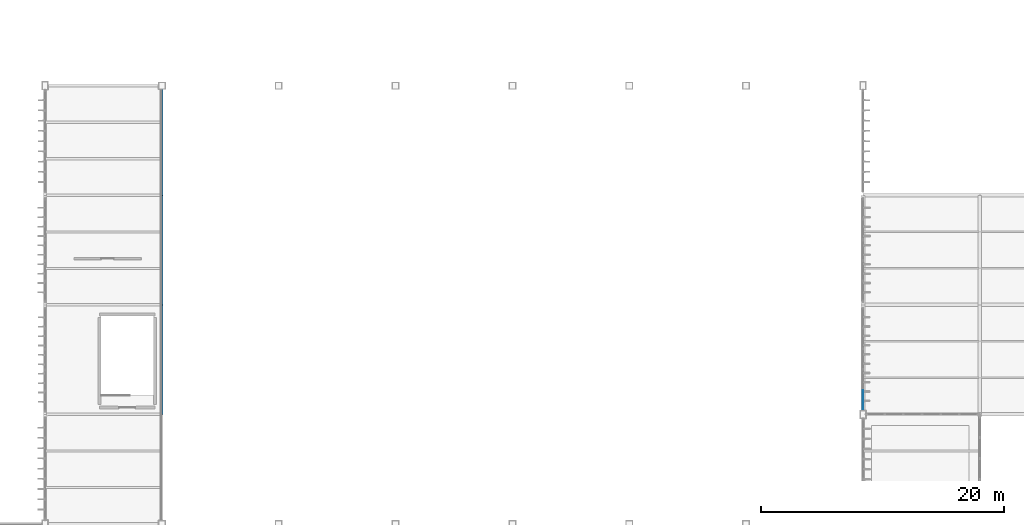
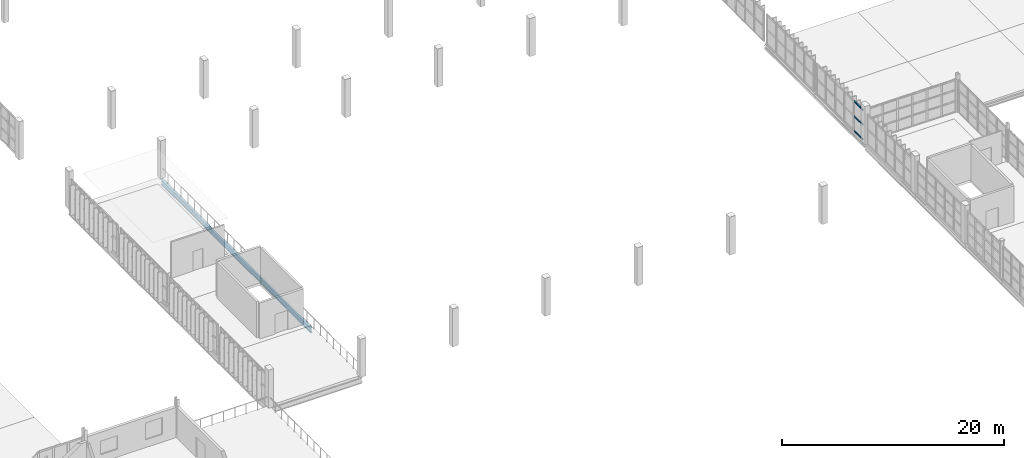
# One storey, part 28 of 82: 3 beams, 3 members, 1 element without a shape of its own.
"""IFC4 building model written with IfcOpenShell, lengths in metres."""

from ifc_helpers import new_model, si_unit, direction, frame, origin, origin_2d, place, context, subcontext, project, spatial, rectangle, i_section, extrude, material, layer, layer_set, material_profile, profile_set, type_object, element, aggregate, save


model = new_model("IFC4")

# Units and contexts
model_context = context("Model", 3, precision=1e-05, world=origin(), true_north=direction((0.0, 1.0)))
body_context = subcontext(model_context, "Body", "Model", "MODEL_VIEW")
ifc_project = project(units=[si_unit("LENGTHUNIT", "METRE"), si_unit("AREAUNIT", "SQUARE_METRE"), si_unit("VOLUMEUNIT", "CUBIC_METRE"), si_unit("PLANEANGLEUNIT", "RADIAN"), si_unit("MASSUNIT", "GRAM", prefix="KILO")], contexts=[model_context])

# Site, building, storey
site_placement = place(None, origin())
site = spatial("IfcSite", under=ifc_project, at=site_placement, CompositionType="ELEMENT")
building_placement = place(site_placement, origin())
building = spatial("IfcBuilding", under=site, at=building_placement, Name="Zarnetskaya Central Station", CompositionType="ELEMENT")
storey_placement = place(building_placement, frame((0.0, 0.0, 10.199951171875)))
storey = spatial("IfcBuildingStorey", under=building, at=storey_placement, Name="L02", CompositionType="ELEMENT", Elevation=10.199951171875)

# Curtain wall, members
ifc_material_1 = material(Name="Low-E insulated glass", Category="glass")
ifc_layer = layer(ifc_material_1, 0.16796875, Name="Low-E insulated glass", Category="glass")
ifc_layer_set = layer_set([ifc_layer], Name="Low-E insulated glass")
curtain_wall_type = type_object("IfcCurtainWallType", Name="CW-SYS-18", PredefinedType="USERDEFINED", material=ifc_layer_set)
curtain_wall_placement = place(storey_placement, origin())
curtain_wall = element("IfcCurtainWall", 1, at=curtain_wall_placement, inside=storey, type_object=curtain_wall_type, Name="Curtain wall CW-L02-093", ObjectType="CURTAIN WALL", PredefinedType="USERDEFINED")
ifc_material_2 = material(Name="Anodised aluminium", Category="aluminium")
ifc_material_profile_1 = material_profile(ifc_material_2, rectangle(XDim=0.070068359375, YDim=0.139892578125, at=origin_2d()), Name="ALU TRAN 70x140")
ifc_profile_set_1 = profile_set([ifc_material_profile_1], Name="Anodised aluminium")
member_type = type_object("IfcMemberType", Name="CW-TRAN-140", PredefinedType="USERDEFINED", material=ifc_profile_set_1)
member_1_placement = place(storey_placement, frame((124.800048828125, 33.195068359375, 0.03515625), z_axis=(0.0, -1.0, 0.0), x_axis=(1.0, 0.0, 0.0)))
member_1 = element("IfcMember", 2, at=member_1_placement, type_object=member_type, Name="CW-10 transom 5.1", ObjectType="TRANSOM", PredefinedType="USERDEFINED", context=body_context, shape_type="SweptSolid", body=[
    extrude(rectangle(XDim=0.070068359375, YDim=0.139892578125, at=origin_2d()), origin(), (0.0, 0.0, 1.0), 1.574951171875),
])
member_2_placement = place(storey_placement, frame((124.800048828125, 33.195068359375, 1.650146484375), z_axis=(0.0, -1.0, 0.0), x_axis=(1.0, 0.0, 0.0)))
member_2 = element("IfcMember", 3, at=member_2_placement, type_object=member_type, Name="CW-10 transom 5.2", ObjectType="TRANSOM", PredefinedType="USERDEFINED", context=body_context, shape_type="SweptSolid", body=[
    extrude(rectangle(XDim=0.070068359375, YDim=0.139892578125, at=origin_2d()), origin(), (0.0, 0.0, 1.0), 1.574951171875),
])
member_3_placement = place(storey_placement, frame((124.800048828125, 33.195068359375, 3.26513671875), z_axis=(0.0, -1.0, 0.0), x_axis=(1.0, 0.0, 0.0)))
member_3 = element("IfcMember", 4, at=member_3_placement, type_object=member_type, Name="CW-10 transom 5.3", ObjectType="TRANSOM", PredefinedType="USERDEFINED", context=body_context, shape_type="SweptSolid", body=[
    extrude(rectangle(XDim=0.070068359375, YDim=0.139892578125, at=origin_2d()), origin(), (0.0, 0.0, 1.0), 1.574951171875),
])
aggregate(curtain_wall, [member_1, member_2, member_3])

# Beams
ifc_material_3 = material(Name="Steel S355", Category="steel")
ifc_material_profile_2 = material_profile(ifc_material_3, i_section(OverallWidth=0.2099609375, OverallDepth=0.550048828125, WebThickness=0.010986328125, FlangeThickness=0.01708984375, FilletRadius=0.02392578125, at=origin_2d()), Name="IPE 550")
ifc_profile_set_2 = profile_set([ifc_material_profile_2], Name="Steel S355")
beam_type = type_object("IfcBeamType", Name="GD-FLR-550", PredefinedType="USERDEFINED", material=ifc_profile_set_2)
for number, where, z_axis, x_axis, name in (
    (5, (67.199951171875, 31.199951171875, -0.534912109375), (0.0, 1.0, 0.0), (-1.0, 0.0, 0.0), "Grid girder GY-L02-H-56"),
    (6, (67.199951171875, 40.199951171875, -0.534912109375), (0.0, 1.0, 0.0), (-1.0, 0.0, 0.0), "Grid girder GY-L02-H-67"),
    (7, (67.199951171875, 49.199951171875, -0.534912109375), (0.0, 1.0, 0.0), (-1.0, 0.0, 0.0), "Grid girder GY-L02-H-78"),
):
    element("IfcBeam", number, at=place(storey_placement, frame(where, z_axis=z_axis, x_axis=x_axis)), inside=storey, type_object=beam_type, Name=name, ObjectType="GIRDER", PredefinedType="USERDEFINED", context=body_context, shape_type="SweptSolid", body=[
        extrude(i_section(OverallWidth=0.2099609375, OverallDepth=0.550048828125, WebThickness=0.010986328125, FlangeThickness=0.01708984375, FilletRadius=0.02392578125, at=origin_2d()), origin(), (0.0, 0.0, 1.0), 9.0),
    ])

save(model, "model.ifc")
